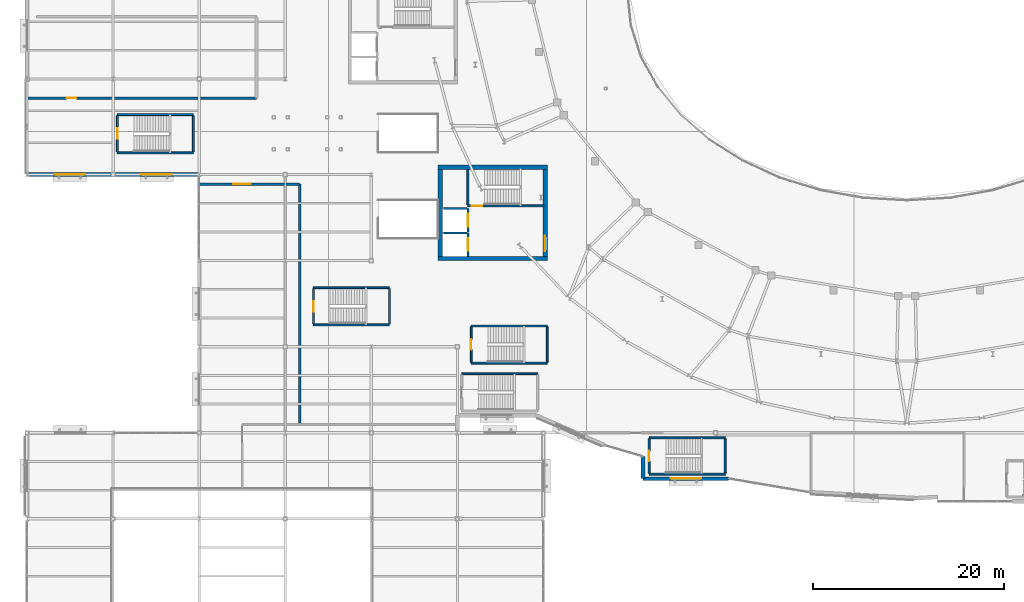
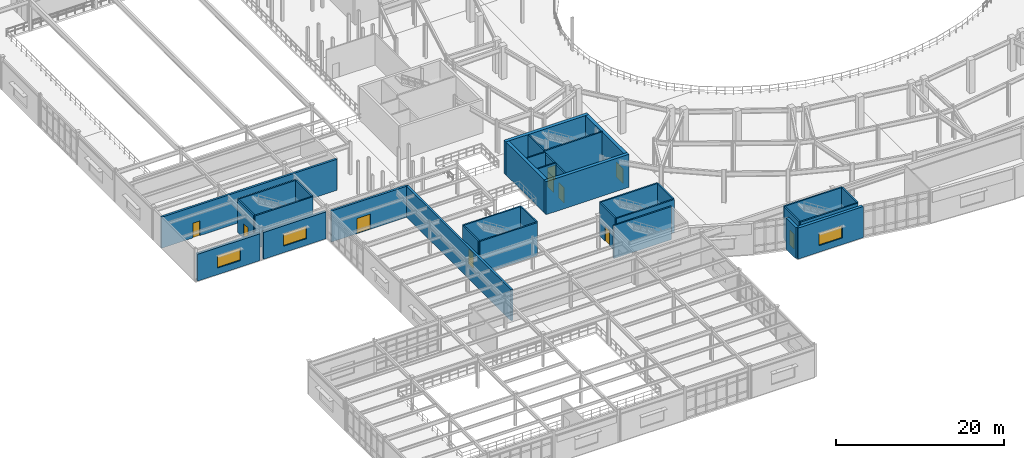
# One storey, part 60 of 86: 34 walls, 10 doors, 3 windows, 13 openings.
"""IFC4 building model written with IfcOpenShell, lengths in metres."""

import ifcopenshell
import ifcopenshell.guid

model = None  # the IFC model being written
_history = None  # IfcOwnerHistory: only IFC2X3 demands one
_inside = {}  # id of a spatial element -> (the spatial element, [elements in it])
_under = {}  # id of a project, library or spatial element -> (it, [spatial elements below it])
_declared = {}  # id of a project -> (the project, [libraries it declares])
_typed = {}  # id of a type object -> (the type object, [elements of that type])
_made_of = {}  # id of a material, layer set ... -> (it, [elements and type objects made of it])


def new_model(schema):
    """Start an empty IFC model of exactly this schema.

    Asked for "IFC4X3", IfcOpenShell would pick the latest addendum, in which some entities
    have other attributes; the version numbers below select the first issue.
    IFC2X3 requires an IfcOwnerHistory on every rooted entity: one is made here for all.
    """
    global model, _history
    if schema == "IFC4X3":
        model = ifcopenshell.file(schema_version=(4, 3, 0, 0))
    else:
        model = ifcopenshell.file(schema=schema)
    _inside.clear()
    _under.clear()
    _declared.clear()
    _typed.clear()
    _made_of.clear()
    _history = None
    if model.schema == "IFC2X3":
        org = make("IfcOrganization", Name="unknown")
        user = make(
            "IfcPersonAndOrganization",
            ThePerson=make("IfcPerson", FamilyName="unknown"),
            TheOrganization=org,
        )
        app = make(
            "IfcApplication",
            ApplicationDeveloper=org,
            Version="unknown",
            ApplicationFullName="unknown",
            ApplicationIdentifier="unknown",
        )
        _history = make(
            "IfcOwnerHistory",
            OwningUser=user,
            OwningApplication=app,
            ChangeAction="ADDED",
            CreationDate=0,
        )
    return model


def make(cls, **values):
    """One entity of the class cls with the attributes given. An attribute that is None is left unset."""
    return model.create_entity(
        cls, **{name: value for name, value in values.items() if value is not None}
    )


def rooted(cls, **values):
    """An entity with a GlobalId (a new one), such as an element, a storey or a relation."""
    return make(cls, GlobalId=ifcopenshell.guid.new(), OwnerHistory=_history, **values)


def si_unit(unit_type, name, prefix=None):
    """IfcSIUnit, for example si_unit("LENGTHUNIT", "METRE", prefix="MILLI")."""
    return make("IfcSIUnit", UnitType=unit_type, Prefix=prefix, Name=name)


def assignment(units):
    """IfcUnitAssignment: the units of a project."""
    return None if units is None else make("IfcUnitAssignment", Units=units)


def point(xyz):
    """IfcCartesianPoint."""
    return None if xyz is None else make("IfcCartesianPoint", Coordinates=xyz)


def direction(xyz):
    """IfcDirection."""
    return None if xyz is None else make("IfcDirection", DirectionRatios=xyz)


def frame(location, z_axis=None, x_axis=None):
    """IfcAxis2Placement3D, a coordinate frame: its origin and axes. An axis left out is left unset."""
    return make(
        "IfcAxis2Placement3D",
        Location=point(location),
        Axis=direction(z_axis),
        RefDirection=direction(x_axis),
    )


def frame_2d(location, x_axis=None):
    """IfcAxis2Placement2D, a coordinate frame in the plane: its origin and x axis."""
    return make(
        "IfcAxis2Placement2D", Location=point(location), RefDirection=direction(x_axis)
    )


def origin():
    """The frame at (0, 0, 0) with its axes left unset."""
    return frame((0.0, 0.0, 0.0))


def place(relative_to, where):
    """IfcLocalPlacement: puts the frame where relative to a parent placement (None: the world)."""
    return make(
        "IfcLocalPlacement", PlacementRelTo=relative_to, RelativePlacement=where
    )


def context(
    kind, dimensions, precision=None, world=None, true_north=None, identifier=None
):
    """IfcGeometricRepresentationContext, for example the 3D "Model" context."""
    return make(
        "IfcGeometricRepresentationContext",
        ContextIdentifier=identifier,
        ContextType=kind,
        CoordinateSpaceDimension=dimensions,
        Precision=precision,
        WorldCoordinateSystem=world,
        TrueNorth=true_north,
    )


def subcontext(parent, identifier, kind, view, scale=None):
    """IfcGeometricRepresentationSubContext, for example "Body" below "Model"."""
    return make(
        "IfcGeometricRepresentationSubContext",
        ContextIdentifier=identifier,
        ContextType=kind,
        ParentContext=parent,
        TargetScale=scale,
        TargetView=view,
    )


def project(units=None, contexts=None):
    """IfcProject with its units and contexts."""
    return rooted(
        "IfcProject",
        Name="project",
        RepresentationContexts=contexts,
        UnitsInContext=assignment(units),
    )


def spatial(cls, under=None, at=None, **own):
    """A site, building, storey or space (cls), placed at a placement, below another one or the project."""
    s = rooted(cls, ObjectPlacement=at, **own)
    if under is not None:
        _under.setdefault(under.id(), (under, []))[1].append(s)
    return s


def profile(cls, at=None, kind="AREA", **sizes):
    """A parametric profile (cls). Its sizes go by their IFC names, for example OverallWidth=200.0."""
    return make(cls, ProfileType=kind, Position=at, **sizes)


def rectangle(**sizes):
    """IfcRectangleProfileDef."""
    return profile("IfcRectangleProfileDef", **sizes)


def extrude(swept, where, along, depth):
    """IfcExtrudedAreaSolid: the profile swept, set in the frame where, extruded along a direction by depth."""
    return make(
        "IfcExtrudedAreaSolid",
        SweptArea=swept,
        Position=where,
        ExtrudedDirection=direction(along),
        Depth=depth,
    )


def shape(context_of_items, identifier, shape_type, items):
    """IfcShapeRepresentation: the items that make up one representation, for example the "Body"."""
    return make(
        "IfcShapeRepresentation",
        ContextOfItems=context_of_items,
        RepresentationIdentifier=identifier,
        RepresentationType=shape_type,
        Items=items,
    )


def material(Name=None, Category=None):
    """IfcMaterial."""
    return make("IfcMaterial", Name=Name, Category=Category)


def layer(
    of_material, thickness, ventilated=None, Name=None, Category=None, Priority=None
):
    """IfcMaterialLayer: one layer of a wall or slab, of a material (None: an air gap)."""
    return make(
        "IfcMaterialLayer",
        Material=of_material,
        LayerThickness=thickness,
        IsVentilated=ventilated,
        Name=Name,
        Category=Category,
        Priority=Priority,
    )


def layer_set(layers, Name=None):
    """IfcMaterialLayerSet."""
    return make("IfcMaterialLayerSet", MaterialLayers=layers, LayerSetName=Name)


def made_of(thing, what):
    """Note that an element or type object is made of a material, layer set ...; save() writes the relation."""
    if what is not None:
        _made_of.setdefault(what.id(), (what, []))[1].append(thing)
    return thing


def type_object(cls, material=None, **own):
    """A type object (cls), such as IfcWallType, which elements share."""
    return made_of(rooted(cls, **own), material)


def element(
    cls,
    number,
    at=None,
    inside=None,
    cuts=None,
    type_object=None,
    material=None,
    context=None,
    identifier="Body",
    shape_type=None,
    held_by="IfcProductDefinitionShape",
    body=None,
    shapes=None,
    **own,
):
    """One element of the class cls, such as IfcWall. Its Tag is "e" and its number.

    at: its placement. inside: the storey or other place that contains it. cuts: it is an
    opening in that element (IfcRelVoidsElement). A single representation is given by context,
    identifier, shape_type and body (its items); several are given by shapes. held_by: the class
    of the entity that holds the representations. save() writes the other relations.
    """
    e = rooted(cls, Tag="e%d" % number, ObjectPlacement=at, **own)
    if body is not None:
        shapes = [shape(context, identifier, shape_type, body)]
    if shapes is not None:
        e.Representation = make(held_by, Representations=shapes)
    if inside is not None:
        _inside.setdefault(inside.id(), (inside, []))[1].append(e)
    if cuts is not None:
        rooted(
            "IfcRelVoidsElement", RelatingBuildingElement=cuts, RelatedOpeningElement=e
        )
    if type_object is not None:
        _typed.setdefault(type_object.id(), (type_object, []))[1].append(e)
    return made_of(e, material)


def fill(opening, filler):
    """IfcRelFillsElement: the door or window that sits in an opening."""
    return rooted(
        "IfcRelFillsElement",
        RelatingOpeningElement=opening,
        RelatedBuildingElement=filler,
    )


def aggregate(whole, parts):
    """IfcRelAggregates: a whole, such as a stair, and the parts it consists of."""
    return rooted("IfcRelAggregates", RelatingObject=whole, RelatedObjects=parts)


def save(model, path):
    """Write the relations noted so far, then the file.

    IfcRelAggregates (storeys below a building ...), IfcRelContainedInSpatialStructure (elements
    in a storey), IfcRelDefinesByType, IfcRelAssociatesMaterial and IfcRelDeclares: one each for
    every whole, place, type object, material and project.
    """
    for whole, parts in _under.values():
        aggregate(whole, parts)
    for where, things in _inside.values():
        rooted(
            "IfcRelContainedInSpatialStructure",
            RelatedElements=things,
            RelatingStructure=where,
        )
    for kind, things in _typed.values():
        rooted("IfcRelDefinesByType", RelatedObjects=things, RelatingType=kind)
    for what, things in _made_of.values():
        rooted("IfcRelAssociatesMaterial", RelatedObjects=things, RelatingMaterial=what)
    for by, libraries in _declared.values():
        rooted("IfcRelDeclares", RelatingContext=by, RelatedDefinitions=libraries)
    model.write(path)


model = new_model("IFC4")

# Units and contexts
model_context = context("Model", 3, precision=1e-05, world=origin(), true_north=direction((0.0, 1.0)))
body_context = subcontext(model_context, "Body", "Model", "MODEL_VIEW")
ifc_project = project(units=[si_unit("LENGTHUNIT", "METRE"), si_unit("AREAUNIT", "SQUARE_METRE"), si_unit("VOLUMEUNIT", "CUBIC_METRE"), si_unit("PLANEANGLEUNIT", "RADIAN"), si_unit("MASSUNIT", "GRAM", prefix="KILO")], contexts=[model_context])

# Site, building, storey
site_placement = place(None, origin())
site = spatial("IfcSite", under=ifc_project, at=site_placement, CompositionType="ELEMENT")
building_placement = place(site_placement, origin())
building = spatial("IfcBuilding", under=site, at=building_placement, Name="Glasvene Arena", CompositionType="ELEMENT")
storey_placement = place(building_placement, frame((0.0, 0.0, 5.39990234375)))
storey = spatial("IfcBuildingStorey", under=building, at=storey_placement, Name="L01", CompositionType="ELEMENT", Elevation=5.39990234375)

# Walls
ifc_material_1 = material(Name="Concrete C40/50", Category="concrete")
ifc_layer_1 = layer(ifc_material_1, 0.449951171875)
ifc_layer_set_1 = layer_set([ifc_layer_1], Name="Concrete C40/50")
wall_type_1 = type_object("IfcWallType", Name="WL-CORE-450", PredefinedType="SHEAR", material=ifc_layer_set_1)
for number, where, z_axis, x_axis, name in (
    (1, (43.0, 45.22509765625, 0.0), (0.0, 0.0, 1.0), (1.0, 0.0, 0.0), "Core C3 South-West shear wall S L01"),
    (2, (43.0, 54.77490234375, 0.0), (0.0, 0.0, 1.0), (1.0, 0.0, 0.0), "Core C3 South-West shear wall N L01"),
):
    element("IfcWall", number, at=place(storey_placement, frame(where, z_axis=z_axis, x_axis=x_axis)), inside=storey, type_object=wall_type_1, Name=name, PredefinedType="SHEAR", context=body_context, shape_type="SweptSolid", body=[
        extrude(rectangle(XDim=11.39990234375, YDim=0.449951171875, at=frame_2d((5.699951171875, 0.0))), origin(), (0.0, 0.0, 1.0), 4.800048828125),
    ])
wall_1_placement = place(storey_placement, frame((43.22509765625, 45.449951171875, 0.0), z_axis=(0.0, 0.0, 1.0), x_axis=(0.0, 1.0, 0.0)))
element("IfcWall", 3, at=wall_1_placement, inside=storey, type_object=wall_type_1, Name="Core C3 South-West shear wall W L01", PredefinedType="SHEAR", context=body_context, shape_type="SweptSolid", body=[
    extrude(rectangle(XDim=9.10009765625, YDim=0.449951171875, at=frame_2d((4.550048828125, 0.0))), origin(), (0.0, 0.0, 1.0), 4.800048828125),
])

# Wall, opening, door
wall_2_placement = place(storey_placement, frame((54.175048828125, 45.449951171875, 0.0), z_axis=(0.0, 0.0, 1.0), x_axis=(0.0, 1.0, 0.0)))
wall_2 = element("IfcWall", 4, at=wall_2_placement, inside=storey, type_object=wall_type_1, Name="Core C3 South-West shear wall E L01", PredefinedType="SHEAR", context=body_context, shape_type="SweptSolid", body=[
    extrude(rectangle(XDim=9.10009765625, YDim=0.449951171875, at=frame_2d((4.550048828125, 0.0))), origin(), (0.0, 0.0, 1.0), 4.800048828125),
])
opening_1_placement = place(wall_2_placement, frame((0.550048828125, 0.0, 0.0)))
opening_1 = element("IfcOpeningElement", 5, at=opening_1_placement, cuts=wall_2, Name="Opening D-02", PredefinedType="OPENING", context=body_context, shape_type="SweptSolid", body=[
    extrude(rectangle(XDim=1.60009765625, YDim=2.199951171875, at=frame_2d((0.800048828125, 1.10009765625))), frame((0.0, 0.23486328125, 0.0), z_axis=(0.0, -1.0, 0.0), x_axis=(1.0, 0.0, 0.0)), (0.0, 0.0, 1.0), 0.469970703125),
])
ifc_material_2 = material(Name="Painted fire-resisting steel", Category="steel")
door_type_1 = type_object("IfcDoorType", Name="DR-FD60-1600", OperationType="DOUBLE_DOOR_SINGLE_SWING", PredefinedType="DOOR", material=ifc_material_2)
door_1_placement = place(opening_1_placement, frame((1.60009765625, 0.0, 0.0), z_axis=(0.0, 0.0, 1.0), x_axis=(-1.0, 0.0, 0.0)))
door_1 = element("IfcDoor", 6, at=door_1_placement, inside=storey, type_object=door_type_1, Name="Core firefighting lobby concourse door C3-L01", OperationType="DOUBLE_DOOR_SINGLE_SWING", OverallHeight=2.199951171875, OverallWidth=1.60009765625, PredefinedType="DOOR", context=body_context, shape_type="SweptSolid", body=[
    extrude(rectangle(XDim=1.60009765625, YDim=2.199951171875, at=frame_2d((0.800048828125, 1.10009765625))), frame((0.0, 0.02490234375, 0.0), z_axis=(0.0, -1.0, 0.0), x_axis=(1.0, 0.0, 0.0)), (0.0, 0.0, 1.0), 0.050048828125),
])
fill(opening_1, door_1)

# Wall, opening, window
ifc_material_3 = material(Name="Coursed pale Irish limestone", Category="masonry")
ifc_layer_2 = layer(ifc_material_3, 0.39990234375)
ifc_layer_set_2 = layer_set([ifc_layer_2], Name="Coursed pale Irish limestone")
wall_type_2 = type_object("IfcWallType", Name="WL-EXT-LIM-400", PredefinedType="STANDARD", material=ifc_layer_set_2)
wall_3_placement = place(storey_placement, frame((73.379638671875, 22.199951171875, 0.0), z_axis=(0.0, 0.0, 1.0), x_axis=(-1.0, 0.0, 0.0)))
wall_3 = element("IfcWall", 7, at=wall_3_placement, inside=storey, type_object=wall_type_2, Name="External facade wall EW-L01-0099", PredefinedType="STANDARD", context=body_context, shape_type="SweptSolid", body=[
    extrude(rectangle(XDim=8.979736328125, YDim=0.39990234375, at=frame_2d((4.48974609375, 0.0))), origin(), (0.0, 0.0, 1.0), 4.52001953125),
])
opening_2_placement = place(wall_3_placement, frame((2.889892578125, 0.0, 0.949951171875)))
opening_2 = element("IfcOpeningElement", 8, at=opening_2_placement, cuts=wall_3, Name="Opening W-03", PredefinedType="OPENING", context=body_context, shape_type="SweptSolid", body=[
    extrude(rectangle(XDim=3.199951171875, YDim=1.800048828125, at=frame_2d((1.60009765625, 0.89990234375))), frame((0.0, 0.2099609375, 0.0), z_axis=(0.0, -1.0, 0.0), x_axis=(1.0, 0.0, 0.0)), (0.0, 0.0, 1.0), 0.419921875),
])
ifc_material_4 = material(Name="Low-emissivity laminated double glazing", Category="glass")
window_type = type_object("IfcWindowType", Name="WN-CONC-320x180", PartitioningType="TRIPLE_PANEL_VERTICAL", PredefinedType="WINDOW", material=ifc_material_4)
window_1_placement = place(opening_2_placement, origin())
window_1 = element("IfcWindow", 9, at=window_1_placement, inside=storey, type_object=window_type, Name="Facade window WN-CONC-320x180 L01-0047", OverallHeight=1.800048828125, OverallWidth=3.199951171875, PartitioningType="SINGLE_PANEL", PredefinedType="WINDOW", context=body_context, shape_type="SweptSolid", body=[
    extrude(rectangle(XDim=3.199951171875, YDim=1.800048828125, at=frame_2d((1.60009765625, 0.89990234375))), frame((0.0, 0.030029296875, 0.0), z_axis=(0.0, -1.0, 0.0), x_axis=(1.0, 0.0, 0.0)), (0.0, 0.0, 1.0), 0.06005859375),
])
fill(opening_2, window_1)

# Wall
wall_4_placement = place(storey_placement, frame((64.39990234375, 22.199951171875, 0.0), z_axis=(0.0, 0.0, 1.0), x_axis=(0.0, 1.0, 0.0)))
element("IfcWall", 10, at=wall_4_placement, inside=storey, type_object=wall_type_2, Name="External facade wall EW-L01-0100", PredefinedType="STANDARD", context=body_context, shape_type="SweptSolid", body=[
    extrude(rectangle(XDim=2.314208984375, YDim=0.39990234375, at=frame_2d((1.1572265625, 0.0))), origin(), (0.0, 0.0, 1.0), 4.52001953125),
])

# Wall, opening, window
wall_5_placement = place(storey_placement, frame((17.843505859375, 54.0, 0.0), z_axis=(0.0, 0.0, 1.0), x_axis=(-1.0, 0.0, 0.0)))
wall_5 = element("IfcWall", 11, at=wall_5_placement, inside=storey, type_object=wall_type_2, Name="External facade wall EW-L01-0115", PredefinedType="STANDARD", context=body_context, shape_type="SweptSolid", body=[
    extrude(rectangle(XDim=8.613037109375, YDim=0.39990234375, at=frame_2d((4.306640625, 0.0))), origin(), (0.0, 0.0, 1.0), 3.907470703125),
])
opening_3_placement = place(wall_5_placement, frame((2.7060546875, 0.0, 0.949951171875)))
opening_3 = element("IfcOpeningElement", 12, at=opening_3_placement, cuts=wall_5, Name="Opening W-03", PredefinedType="OPENING", context=body_context, shape_type="SweptSolid", body=[
    extrude(rectangle(XDim=3.199951171875, YDim=1.800048828125, at=frame_2d((1.60009765625, 0.89990234375))), frame((0.0, 0.2099609375, 0.0), z_axis=(0.0, -1.0, 0.0), x_axis=(1.0, 0.0, 0.0)), (0.0, 0.0, 1.0), 0.419921875),
])
window_2_placement = place(opening_3_placement, origin())
window_2 = element("IfcWindow", 13, at=window_2_placement, inside=storey, type_object=window_type, Name="Facade window WN-CONC-320x180 L01-0061", OverallHeight=1.800048828125, OverallWidth=3.199951171875, PartitioningType="SINGLE_PANEL", PredefinedType="WINDOW", context=body_context, shape_type="SweptSolid", body=[
    extrude(rectangle(XDim=3.199951171875, YDim=1.800048828125, at=frame_2d((1.60009765625, 0.89990234375))), frame((0.0, 0.030029296875, 0.0), z_axis=(0.0, -1.0, 0.0), x_axis=(1.0, 0.0, 0.0)), (0.0, 0.0, 1.0), 0.06005859375),
])
fill(opening_3, window_2)

wall_6_placement = place(storey_placement, frame((8.76953125, 54.0, 0.0), z_axis=(0.0, 0.0, 1.0), x_axis=(-1.0, 0.0, 0.0)))
wall_6 = element("IfcWall", 14, at=wall_6_placement, inside=storey, type_object=wall_type_2, Name="External facade wall EW-L01-0116", PredefinedType="STANDARD", context=body_context, shape_type="SweptSolid", body=[
    extrude(rectangle(XDim=8.613037109375, YDim=0.39990234375, at=frame_2d((4.306640625, 0.0))), origin(), (0.0, 0.0, 1.0), 3.907470703125),
])
opening_4_placement = place(wall_6_placement, frame((2.7060546875, 0.0, 0.949951171875)))
opening_4 = element("IfcOpeningElement", 15, at=opening_4_placement, cuts=wall_6, Name="Opening W-03", PredefinedType="OPENING", context=body_context, shape_type="SweptSolid", body=[
    extrude(rectangle(XDim=3.199951171875, YDim=1.800048828125, at=frame_2d((1.60009765625, 0.89990234375))), frame((0.0, 0.2099609375, 0.0), z_axis=(0.0, -1.0, 0.0), x_axis=(1.0, 0.0, 0.0)), (0.0, 0.0, 1.0), 0.419921875),
])
window_3_placement = place(opening_4_placement, origin())
window_3 = element("IfcWindow", 16, at=window_3_placement, inside=storey, type_object=window_type, Name="Facade window WN-CONC-320x180 L01-0062", OverallHeight=1.800048828125, OverallWidth=3.199951171875, PartitioningType="SINGLE_PANEL", PredefinedType="WINDOW", context=body_context, shape_type="SweptSolid", body=[
    extrude(rectangle(XDim=3.199951171875, YDim=1.800048828125, at=frame_2d((1.60009765625, 0.89990234375))), frame((0.0, 0.030029296875, 0.0), z_axis=(0.0, -1.0, 0.0), x_axis=(1.0, 0.0, 0.0)), (0.0, 0.0, 1.0), 0.06005859375),
])
fill(opening_4, window_3)

# Wall, opening, door
ifc_layer_3 = layer(ifc_material_1, 0.199951171875)
ifc_layer_set_3 = layer_set([ifc_layer_3], Name="Concrete C40/50")
wall_type_3 = type_object("IfcWallType", Name="WL-SHAFT-200", PredefinedType="SHEAR", material=ifc_layer_set_3)
wall_7_placement = place(storey_placement, frame((46.10009765625, 45.449951171875, 0.0), z_axis=(0.0, 0.0, 1.0), x_axis=(0.0, 1.0, 0.0)))
wall_7 = element("IfcWall", 17, at=wall_7_placement, inside=storey, type_object=wall_type_3, Name="Lift shaft front wall FFL-03 L01", PredefinedType="SHEAR", context=body_context, shape_type="SweptSolid", body=[
    extrude(rectangle(XDim=2.449951171875, YDim=0.199951171875, at=frame_2d((1.22509765625, 0.0))), origin(), (0.0, 0.0, 1.0), 4.52001953125),
])
opening_5_placement = place(wall_7_placement, frame((0.574951171875, 0.0, 0.0)))
opening_5 = element("IfcOpeningElement", 18, at=opening_5_placement, cuts=wall_7, Name="Opening LD-FF", PredefinedType="OPENING", context=body_context, shape_type="SweptSolid", body=[
    extrude(rectangle(XDim=1.300048828125, YDim=2.199951171875, at=frame_2d((0.64990234375, 1.10009765625))), frame((0.0, 0.10986328125, 0.0), z_axis=(0.0, -1.0, 0.0), x_axis=(1.0, 0.0, 0.0)), (0.0, 0.0, 1.0), 0.219970703125),
])
ifc_material_5 = material(Name="Brushed stainless steel", Category="steel")
door_type_2 = type_object("IfcDoorType", Name="LD-FFL-1300", OperationType="DOUBLE_DOOR_SLIDING", PredefinedType="DOOR", material=ifc_material_5)
door_2_placement = place(opening_5_placement, origin())
door_2 = element("IfcDoor", 19, at=door_2_placement, inside=storey, type_object=door_type_2, Name="Lift sliding landing door LD-FFL-03-L01", OperationType="DOUBLE_DOOR_SLIDING", OverallHeight=2.199951171875, OverallWidth=1.300048828125, PredefinedType="DOOR", context=body_context, shape_type="SweptSolid", body=[
    extrude(rectangle(XDim=1.300048828125, YDim=2.199951171875, at=frame_2d((0.64990234375, 1.10009765625))), frame((0.0, 0.02490234375, 0.0), z_axis=(0.0, -1.0, 0.0), x_axis=(1.0, 0.0, 0.0)), (0.0, 0.0, 1.0), 0.050048828125),
])
fill(opening_5, door_2)

wall_8_placement = place(storey_placement, frame((46.10009765625, 48.0, 0.0), z_axis=(0.0, 0.0, 1.0), x_axis=(0.0, 1.0, 0.0)))
wall_8 = element("IfcWall", 20, at=wall_8_placement, inside=storey, type_object=wall_type_3, Name="Lift shaft front wall PL-03 L01", PredefinedType="SHEAR", context=body_context, shape_type="SweptSolid", body=[
    extrude(rectangle(XDim=2.449951171875, YDim=0.199951171875, at=frame_2d((1.22509765625, 0.0))), origin(), (0.0, 0.0, 1.0), 4.52001953125),
])
opening_6_placement = place(wall_8_placement, frame((0.52490234375, 0.0, 0.0)))
opening_6 = element("IfcOpeningElement", 21, at=opening_6_placement, cuts=wall_8, Name="Opening LD-PL", PredefinedType="OPENING", context=body_context, shape_type="SweptSolid", body=[
    extrude(rectangle(XDim=1.39990234375, YDim=2.199951171875, at=frame_2d((0.699951171875, 1.10009765625))), frame((0.0, 0.10986328125, 0.0), z_axis=(0.0, -1.0, 0.0), x_axis=(1.0, 0.0, 0.0)), (0.0, 0.0, 1.0), 0.219970703125),
])
door_type_3 = type_object("IfcDoorType", Name="LD-PL-1400", OperationType="DOUBLE_DOOR_SLIDING", PredefinedType="DOOR", material=ifc_material_5)
door_3_placement = place(opening_6_placement, origin())
door_3 = element("IfcDoor", 22, at=door_3_placement, inside=storey, type_object=door_type_3, Name="Lift sliding landing door LD-PL-03-L01", OperationType="DOUBLE_DOOR_SLIDING", OverallHeight=2.199951171875, OverallWidth=1.39990234375, PredefinedType="DOOR", context=body_context, shape_type="SweptSolid", body=[
    extrude(rectangle(XDim=1.39990234375, YDim=2.199951171875, at=frame_2d((0.699951171875, 1.10009765625))), frame((0.0, 0.02490234375, 0.0), z_axis=(0.0, -1.0, 0.0), x_axis=(1.0, 0.0, 0.0)), (0.0, 0.0, 1.0), 0.050048828125),
])
fill(opening_6, door_3)

wall_9_placement = place(storey_placement, frame((46.10009765625, 50.72998046875, 0.0), z_axis=(0.0, 0.0, 1.0), x_axis=(1.0, 0.0, 0.0)))
wall_9 = element("IfcWall", 23, at=wall_9_placement, inside=storey, type_object=wall_type_3, Name="Escape stair shaft wall ST-03 L01 S", PredefinedType="SHEAR", context=body_context, shape_type="SweptSolid", body=[
    extrude(rectangle(XDim=7.949951171875, YDim=0.199951171875, at=frame_2d((3.97509765625, 0.0))), origin(), (0.0, 0.0, 1.0), 4.800048828125),
])
opening_7_placement = place(wall_9_placement, frame((0.39990234375, 0.0, 0.0)))
opening_7 = element("IfcOpeningElement", 24, at=opening_7_placement, cuts=wall_9, Name="Opening D-04", PredefinedType="OPENING", context=body_context, shape_type="SweptSolid", body=[
    extrude(rectangle(XDim=1.10009765625, YDim=2.14990234375, at=frame_2d((0.550048828125, 1.074951171875))), frame((0.0, 0.10986328125, 0.0), z_axis=(0.0, -1.0, 0.0), x_axis=(1.0, 0.0, 0.0)), (0.0, 0.0, 1.0), 0.219970703125),
])
door_type_4 = type_object("IfcDoorType", Name="DR-FD60-1100", OperationType="NOTDEFINED", PredefinedType="DOOR", material=ifc_material_2)
door_4_placement = place(opening_7_placement, frame((1.10009765625, 0.0, 0.0), z_axis=(0.0, 0.0, 1.0), x_axis=(-1.0, 0.0, 0.0)))
door_4 = element("IfcDoor", 25, at=door_4_placement, inside=storey, type_object=door_type_4, Name="Protected escape stair door ST-03 L01", OperationType="SINGLE_SWING_RIGHT", OverallHeight=2.14990234375, OverallWidth=1.10009765625, PredefinedType="DOOR", context=body_context, shape_type="SweptSolid", body=[
    extrude(rectangle(XDim=1.10009765625, YDim=2.14990234375, at=frame_2d((0.550048828125, 1.074951171875))), frame((0.0, 0.02490234375, 0.0), z_axis=(0.0, -1.0, 0.0), x_axis=(1.0, 0.0, 0.0)), (0.0, 0.0, 1.0), 0.050048828125),
])
fill(opening_7, door_4)

# Walls
wall_10_placement = place(storey_placement, frame((46.10009765625, 50.83203125, 0.0), z_axis=(0.0, 0.0, 1.0), x_axis=(0.0, 1.0, 0.0)))
element("IfcWall", 26, at=wall_10_placement, inside=storey, type_object=wall_type_3, Name="Escape stair shaft wall ST-03 L01 W", PredefinedType="SHEAR", context=body_context, shape_type="SweptSolid", body=[
    extrude(rectangle(XDim=3.68603515625, YDim=0.199951171875, at=frame_2d((1.843017578125, 0.0))), origin(), (0.0, 0.0, 1.0), 4.800048828125),
])
wall_11_placement = place(storey_placement, frame((46.449951171875, 34.280029296875, 0.0), z_axis=(0.0, 0.0, 1.0), x_axis=(1.0, 0.0, 0.0)))
element("IfcWall", 27, at=wall_11_placement, inside=storey, type_object=wall_type_3, Name="Escape stair shaft wall ST-05 L01 S", PredefinedType="SHEAR", context=body_context, shape_type="SweptSolid", body=[
    extrude(rectangle(XDim=7.949951171875, YDim=0.199951171875, at=frame_2d((3.97509765625, 0.0))), origin(), (0.0, 0.0, 1.0), 4.800048828125),
])

# Wall, opening, door
wall_12_placement = place(storey_placement, frame((46.449951171875, 34.382080078125, 0.0), z_axis=(0.0, 0.0, 1.0), x_axis=(0.0, 1.0, 0.0)))
wall_12 = element("IfcWall", 28, at=wall_12_placement, inside=storey, type_object=wall_type_3, Name="Escape stair shaft wall ST-05 L01 W", PredefinedType="SHEAR", context=body_context, shape_type="SweptSolid", body=[
    extrude(rectangle(XDim=3.68603515625, YDim=0.199951171875, at=frame_2d((1.843017578125, 0.0))), origin(), (0.0, 0.0, 1.0), 4.800048828125),
])
opening_8_placement = place(wall_12_placement, frame((1.29296875, 0.0, 0.0)))
opening_8 = element("IfcOpeningElement", 29, at=opening_8_placement, cuts=wall_12, Name="Opening D-04", PredefinedType="OPENING", context=body_context, shape_type="SweptSolid", body=[
    extrude(rectangle(XDim=1.10009765625, YDim=2.14990234375, at=frame_2d((0.550048828125, 1.074951171875))), frame((0.0, 0.10986328125, 0.0), z_axis=(0.0, -1.0, 0.0), x_axis=(1.0, 0.0, 0.0)), (0.0, 0.0, 1.0), 0.219970703125),
])
door_5_placement = place(opening_8_placement, frame((1.10009765625, 0.0, 0.0), z_axis=(0.0, 0.0, 1.0), x_axis=(-1.0, 0.0, 0.0)))
door_5 = element("IfcDoor", 30, at=door_5_placement, inside=storey, type_object=door_type_4, Name="Protected escape stair door ST-05 L01", OperationType="SINGLE_SWING_RIGHT", OverallHeight=2.14990234375, OverallWidth=1.10009765625, PredefinedType="DOOR", context=body_context, shape_type="SweptSolid", body=[
    extrude(rectangle(XDim=1.10009765625, YDim=2.14990234375, at=frame_2d((0.550048828125, 1.074951171875))), frame((0.0, 0.02490234375, 0.0), z_axis=(0.0, -1.0, 0.0), x_axis=(1.0, 0.0, 0.0)), (0.0, 0.0, 1.0), 0.050048828125),
])
fill(opening_8, door_5)

# Walls
wall_13_placement = place(storey_placement, frame((54.39990234375, 34.382080078125, 0.0), z_axis=(0.0, 0.0, 1.0), x_axis=(0.0, 1.0, 0.0)))
element("IfcWall", 31, at=wall_13_placement, inside=storey, type_object=wall_type_3, Name="Escape stair shaft wall ST-05 L01 E", PredefinedType="SHEAR", context=body_context, shape_type="SweptSolid", body=[
    extrude(rectangle(XDim=3.68603515625, YDim=0.199951171875, at=frame_2d((1.843017578125, 0.0))), origin(), (0.0, 0.0, 1.0), 4.800048828125),
])
for number, where, z_axis, x_axis, name in (
    (32, (46.449951171875, 38.169921875, 0.0), (0.0, 0.0, 1.0), (1.0, 0.0, 0.0), "Escape stair shaft wall ST-05 L01 N"),
    (33, (65.050048828125, 22.679931640625, 0.0), (0.0, 0.0, 1.0), (1.0, 0.0, 0.0), "Escape stair shaft wall ST-08 L01 S"),
):
    element("IfcWall", number, at=place(storey_placement, frame(where, z_axis=z_axis, x_axis=x_axis)), inside=storey, type_object=wall_type_3, Name=name, PredefinedType="SHEAR", context=body_context, shape_type="SweptSolid", body=[
        extrude(rectangle(XDim=7.949951171875, YDim=0.199951171875, at=frame_2d((3.97509765625, 0.0))), origin(), (0.0, 0.0, 1.0), 4.800048828125),
    ])

# Wall, opening, door
wall_14_placement = place(storey_placement, frame((65.050048828125, 22.781982421875, 0.0), z_axis=(0.0, 0.0, 1.0), x_axis=(0.0, 1.0, 0.0)))
wall_14 = element("IfcWall", 34, at=wall_14_placement, inside=storey, type_object=wall_type_3, Name="Escape stair shaft wall ST-08 L01 W", PredefinedType="SHEAR", context=body_context, shape_type="SweptSolid", body=[
    extrude(rectangle(XDim=3.5859375, YDim=0.199951171875, at=frame_2d((1.79296875, 0.0))), origin(), (0.0, 0.0, 1.0), 4.800048828125),
])
opening_9_placement = place(wall_14_placement, frame((1.242919921875, 0.0, 0.0)))
opening_9 = element("IfcOpeningElement", 35, at=opening_9_placement, cuts=wall_14, Name="Opening D-04", PredefinedType="OPENING", context=body_context, shape_type="SweptSolid", body=[
    extrude(rectangle(XDim=1.10009765625, YDim=2.14990234375, at=frame_2d((0.550048828125, 1.074951171875))), frame((0.0, 0.10986328125, 0.0), z_axis=(0.0, -1.0, 0.0), x_axis=(1.0, 0.0, 0.0)), (0.0, 0.0, 1.0), 0.219970703125),
])
door_6_placement = place(opening_9_placement, frame((1.10009765625, 0.0, 0.0), z_axis=(0.0, 0.0, 1.0), x_axis=(-1.0, 0.0, 0.0)))
door_6 = element("IfcDoor", 36, at=door_6_placement, inside=storey, type_object=door_type_4, Name="Protected escape stair door ST-08 L01", OperationType="SINGLE_SWING_RIGHT", OverallHeight=2.14990234375, OverallWidth=1.10009765625, PredefinedType="DOOR", context=body_context, shape_type="SweptSolid", body=[
    extrude(rectangle(XDim=1.10009765625, YDim=2.14990234375, at=frame_2d((0.550048828125, 1.074951171875))), frame((0.0, 0.02490234375, 0.0), z_axis=(0.0, -1.0, 0.0), x_axis=(1.0, 0.0, 0.0)), (0.0, 0.0, 1.0), 0.050048828125),
])
fill(opening_9, door_6)

# Walls
wall_15_placement = place(storey_placement, frame((73.0, 22.781982421875, 0.0), z_axis=(0.0, 0.0, 1.0), x_axis=(0.0, 1.0, 0.0)))
element("IfcWall", 37, at=wall_15_placement, inside=storey, type_object=wall_type_3, Name="Escape stair shaft wall ST-08 L01 E", PredefinedType="SHEAR", context=body_context, shape_type="SweptSolid", body=[
    extrude(rectangle(XDim=3.5859375, YDim=0.199951171875, at=frame_2d((1.79296875, 0.0))), origin(), (0.0, 0.0, 1.0), 4.800048828125),
])
for number, where, z_axis, x_axis, name in (
    (38, (65.050048828125, 26.469970703125, 0.0), (0.0, 0.0, 1.0), (1.0, 0.0, 0.0), "Escape stair shaft wall ST-08 L01 N"),
    (39, (9.449951171875, 56.280029296875, 0.0), (0.0, 0.0, 1.0), (1.0, 0.0, 0.0), "Escape stair shaft wall ST-13 L01 S"),
):
    element("IfcWall", number, at=place(storey_placement, frame(where, z_axis=z_axis, x_axis=x_axis)), inside=storey, type_object=wall_type_3, Name=name, PredefinedType="SHEAR", context=body_context, shape_type="SweptSolid", body=[
        extrude(rectangle(XDim=7.949951171875, YDim=0.199951171875, at=frame_2d((3.97509765625, 0.0))), origin(), (0.0, 0.0, 1.0), 4.800048828125),
    ])

# Wall, opening, door
wall_16_placement = place(storey_placement, frame((9.449951171875, 56.382080078125, 0.0), z_axis=(0.0, 0.0, 1.0), x_axis=(0.0, 1.0, 0.0)))
wall_16 = element("IfcWall", 40, at=wall_16_placement, inside=storey, type_object=wall_type_3, Name="Escape stair shaft wall ST-13 L01 W", PredefinedType="SHEAR", context=body_context, shape_type="SweptSolid", body=[
    extrude(rectangle(XDim=3.785888671875, YDim=0.199951171875, at=frame_2d((1.89306640625, 0.0))), origin(), (0.0, 0.0, 1.0), 4.800048828125),
])
opening_10_placement = place(wall_16_placement, frame((1.343017578125, 0.0, 0.0)))
opening_10 = element("IfcOpeningElement", 41, at=opening_10_placement, cuts=wall_16, Name="Opening D-04", PredefinedType="OPENING", context=body_context, shape_type="SweptSolid", body=[
    extrude(rectangle(XDim=1.10009765625, YDim=2.14990234375, at=frame_2d((0.550048828125, 1.074951171875))), frame((0.0, 0.10986328125, 0.0), z_axis=(0.0, -1.0, 0.0), x_axis=(1.0, 0.0, 0.0)), (0.0, 0.0, 1.0), 0.219970703125),
])
door_7_placement = place(opening_10_placement, frame((1.10009765625, 0.0, 0.0), z_axis=(0.0, 0.0, 1.0), x_axis=(-1.0, 0.0, 0.0)))
door_7 = element("IfcDoor", 42, at=door_7_placement, inside=storey, type_object=door_type_4, Name="Protected escape stair door ST-13 L01", OperationType="SINGLE_SWING_RIGHT", OverallHeight=2.14990234375, OverallWidth=1.10009765625, PredefinedType="DOOR", context=body_context, shape_type="SweptSolid", body=[
    extrude(rectangle(XDim=1.10009765625, YDim=2.14990234375, at=frame_2d((0.550048828125, 1.074951171875))), frame((0.0, 0.02490234375, 0.0), z_axis=(0.0, -1.0, 0.0), x_axis=(1.0, 0.0, 0.0)), (0.0, 0.0, 1.0), 0.050048828125),
])
fill(opening_10, door_7)

# Walls
wall_17_placement = place(storey_placement, frame((17.39990234375, 56.382080078125, 0.0), z_axis=(0.0, 0.0, 1.0), x_axis=(0.0, 1.0, 0.0)))
element("IfcWall", 43, at=wall_17_placement, inside=storey, type_object=wall_type_3, Name="Escape stair shaft wall ST-13 L01 E", PredefinedType="SHEAR", context=body_context, shape_type="SweptSolid", body=[
    extrude(rectangle(XDim=3.785888671875, YDim=0.199951171875, at=frame_2d((1.89306640625, 0.0))), origin(), (0.0, 0.0, 1.0), 4.800048828125),
])
for number, where, z_axis, x_axis, name in (
    (44, (9.449951171875, 60.27001953125, 0.0), (0.0, 0.0, 1.0), (1.0, 0.0, 0.0), "Escape stair shaft wall ST-13 L01 N"),
    (45, (29.949951171875, 38.280029296875, 0.0), (0.0, 0.0, 1.0), (1.0, 0.0, 0.0), "Escape stair shaft wall ST-15 L01 S"),
):
    element("IfcWall", number, at=place(storey_placement, frame(where, z_axis=z_axis, x_axis=x_axis)), inside=storey, type_object=wall_type_3, Name=name, PredefinedType="SHEAR", context=body_context, shape_type="SweptSolid", body=[
        extrude(rectangle(XDim=7.949951171875, YDim=0.199951171875, at=frame_2d((3.97509765625, 0.0))), origin(), (0.0, 0.0, 1.0), 4.800048828125),
    ])

# Wall, opening, door
wall_18_placement = place(storey_placement, frame((29.949951171875, 38.382080078125, 0.0), z_axis=(0.0, 0.0, 1.0), x_axis=(0.0, 1.0, 0.0)))
wall_18 = element("IfcWall", 46, at=wall_18_placement, inside=storey, type_object=wall_type_3, Name="Escape stair shaft wall ST-15 L01 W", PredefinedType="SHEAR", context=body_context, shape_type="SweptSolid", body=[
    extrude(rectangle(XDim=3.68603515625, YDim=0.199951171875, at=frame_2d((1.843017578125, 0.0))), origin(), (0.0, 0.0, 1.0), 4.800048828125),
])
opening_11_placement = place(wall_18_placement, frame((1.29296875, 0.0, 0.0)))
opening_11 = element("IfcOpeningElement", 47, at=opening_11_placement, cuts=wall_18, Name="Opening D-04", PredefinedType="OPENING", context=body_context, shape_type="SweptSolid", body=[
    extrude(rectangle(XDim=1.10009765625, YDim=2.14990234375, at=frame_2d((0.550048828125, 1.074951171875))), frame((0.0, 0.10986328125, 0.0), z_axis=(0.0, -1.0, 0.0), x_axis=(1.0, 0.0, 0.0)), (0.0, 0.0, 1.0), 0.219970703125),
])
door_8_placement = place(opening_11_placement, frame((1.10009765625, 0.0, 0.0), z_axis=(0.0, 0.0, 1.0), x_axis=(-1.0, 0.0, 0.0)))
door_8 = element("IfcDoor", 48, at=door_8_placement, inside=storey, type_object=door_type_4, Name="Protected escape stair door ST-15 L01", OperationType="SINGLE_SWING_RIGHT", OverallHeight=2.14990234375, OverallWidth=1.10009765625, PredefinedType="DOOR", context=body_context, shape_type="SweptSolid", body=[
    extrude(rectangle(XDim=1.10009765625, YDim=2.14990234375, at=frame_2d((0.550048828125, 1.074951171875))), frame((0.0, 0.02490234375, 0.0), z_axis=(0.0, -1.0, 0.0), x_axis=(1.0, 0.0, 0.0)), (0.0, 0.0, 1.0), 0.050048828125),
])
fill(opening_11, door_8)

# Walls
wall_19_placement = place(storey_placement, frame((37.89990234375, 38.382080078125, 0.0), z_axis=(0.0, 0.0, 1.0), x_axis=(0.0, 1.0, 0.0)))
element("IfcWall", 49, at=wall_19_placement, inside=storey, type_object=wall_type_3, Name="Escape stair shaft wall ST-15 L01 E", PredefinedType="SHEAR", context=body_context, shape_type="SweptSolid", body=[
    extrude(rectangle(XDim=3.68603515625, YDim=0.199951171875, at=frame_2d((1.843017578125, 0.0))), origin(), (0.0, 0.0, 1.0), 4.800048828125),
])
for number, where, z_axis, x_axis, name in (
    (50, (29.949951171875, 42.169921875, 0.0), (0.0, 0.0, 1.0), (1.0, 0.0, 0.0), "Escape stair shaft wall ST-15 L01 N"),
    (51, (45.449951171875, 33.169921875, 0.0), (0.0, 0.0, 1.0), (1.0, 0.0, 0.0), "Escape stair shaft wall ST-16 L01 N"),
):
    element("IfcWall", number, at=place(storey_placement, frame(where, z_axis=z_axis, x_axis=x_axis)), inside=storey, type_object=wall_type_3, Name=name, PredefinedType="SHEAR", context=body_context, shape_type="SweptSolid", body=[
        extrude(rectangle(XDim=7.949951171875, YDim=0.199951171875, at=frame_2d((3.97509765625, 0.0))), origin(), (0.0, 0.0, 1.0), 4.800048828125),
    ])

# Wall, opening, door
ifc_material_6 = material(Name="Twin-frame acoustic gypsum partition")
ifc_layer_4 = layer(ifc_material_6, 0.280029296875)
ifc_layer_set_4 = layer_set([ifc_layer_4], Name="Twin-frame acoustic gypsum partition")
wall_type_4 = type_object("IfcWallType", Name="WL-STUDIO-280", PredefinedType="PARTITIONING", material=ifc_layer_set_4)
wall_20_placement = place(storey_placement, frame((18.02001953125, 53.0, 0.0), z_axis=(0.0, 0.0, 1.0), x_axis=(1.0, 0.0, 0.0)))
wall_20 = element("IfcWall", 52, at=wall_20_placement, inside=storey, type_object=wall_type_4, Name="Interior partition wall IW-L01-0175 (Community Dance Studio)", PredefinedType="PARTITIONING", context=body_context, shape_type="SweptSolid", body=[
    extrude(rectangle(XDim=10.47998046875, YDim=0.280029296875, at=frame_2d((5.239990234375, 0.0))), origin(), (0.0, 0.0, 1.0), 4.52001953125),
])
opening_12_placement = place(wall_20_placement, frame((3.548095703125, 0.0, 0.0)))
opening_12 = element("IfcOpeningElement", 53, at=opening_12_placement, cuts=wall_20, Name="Opening D-01", PredefinedType="OPENING", context=body_context, shape_type="SweptSolid", body=[
    extrude(rectangle(XDim=1.800048828125, YDim=2.199951171875, at=frame_2d((0.89990234375, 1.10009765625))), frame((0.0, 0.14990234375, 0.0), z_axis=(0.0, -1.0, 0.0), x_axis=(1.0, 0.0, 0.0)), (0.0, 0.0, 1.0), 0.300048828125),
])
door_type_5 = type_object("IfcDoorType", Name="DR-FD60-1800", OperationType="DOUBLE_DOOR_SINGLE_SWING", PredefinedType="DOOR", material=ifc_material_2)
door_9_placement = place(opening_12_placement, origin())
door_9 = element("IfcDoor", 54, at=door_9_placement, inside=storey, type_object=door_type_5, Name="Interior door DR-FD60-1800 (Community Dance Studio)", OperationType="DOUBLE_DOOR_SINGLE_SWING", OverallHeight=2.199951171875, OverallWidth=1.800048828125, PredefinedType="DOOR", context=body_context, shape_type="SweptSolid", body=[
    extrude(rectangle(XDim=1.800048828125, YDim=2.199951171875, at=frame_2d((0.89990234375, 1.10009765625))), frame((0.0, 0.02490234375, 0.0), z_axis=(0.0, -1.0, 0.0), x_axis=(1.0, 0.0, 0.0)), (0.0, 0.0, 1.0), 0.050048828125),
])
fill(opening_12, door_9)

# Wall
wall_21_placement = place(storey_placement, frame((28.5, 53.0, 0.0), z_axis=(0.0, 0.0, 1.0), x_axis=(0.0, -1.0, 0.0)))
element("IfcWall", 55, at=wall_21_placement, inside=storey, type_object=wall_type_4, Name="Interior partition wall IW-L01-0176 (Community Dance Studio)", PredefinedType="PARTITIONING", context=body_context, shape_type="SweptSolid", body=[
    extrude(rectangle(XDim=25.0, YDim=0.280029296875, at=frame_2d((12.5, 0.0))), origin(), (0.0, 0.0, 1.0), 4.52001953125),
])

# Wall, opening, door
wall_22_placement = place(storey_placement, frame((24.0, 62.0, 0.0), z_axis=(0.0, 0.0, 1.0), x_axis=(-1.0, 0.0, 0.0)))
wall_22 = element("IfcWall", 56, at=wall_22_placement, inside=storey, type_object=wall_type_4, Name="Interior partition wall IW-L01-0179 (Community Martial Arts Studio)", PredefinedType="PARTITIONING", context=body_context, shape_type="SweptSolid", body=[
    extrude(rectangle(XDim=24.125, YDim=0.280029296875, at=frame_2d((12.0625, 0.0))), origin(), (0.0, 0.0, 1.0), 4.52001953125),
])
opening_13_placement = place(wall_22_placement, frame((18.85302734375, 0.0, 0.0)))
opening_13 = element("IfcOpeningElement", 57, at=opening_13_placement, cuts=wall_22, Name="Opening D-06", PredefinedType="OPENING", context=body_context, shape_type="SweptSolid", body=[
    extrude(rectangle(XDim=1.0, YDim=2.14990234375, at=frame_2d((0.5, 1.074951171875))), frame((0.0, 0.14990234375, 0.0), z_axis=(0.0, -1.0, 0.0), x_axis=(1.0, 0.0, 0.0)), (0.0, 0.0, 1.0), 0.300048828125),
])
ifc_material_7 = material(Name="European oak fire-resisting timber", Category="wood")
door_type_6 = type_object("IfcDoorType", Name="DR-FD30-1000", OperationType="NOTDEFINED", PredefinedType="DOOR", material=ifc_material_7)
door_10_placement = place(opening_13_placement, origin())
door_10 = element("IfcDoor", 58, at=door_10_placement, inside=storey, type_object=door_type_6, Name="Interior door DR-FD30-1000 (Community Martial Arts Studio)", OperationType="SINGLE_SWING_LEFT", OverallHeight=2.14990234375, OverallWidth=1.0, PredefinedType="DOOR", context=body_context, shape_type="SweptSolid", body=[
    extrude(rectangle(XDim=1.0, YDim=2.14990234375, at=frame_2d((0.5, 1.074951171875))), frame((0.0, 0.02490234375, 0.0), z_axis=(0.0, -1.0, 0.0), x_axis=(1.0, 0.0, 0.0)), (0.0, 0.0, 1.0), 0.050048828125),
])
fill(opening_13, door_10)

# Walls
ifc_material_8 = material(Name="Moisture-resistant masonry blockwork", Category="masonry")
ifc_layer_5 = layer(ifc_material_8, 0.179931640625)
ifc_layer_set_5 = layer_set([ifc_layer_5], Name="Moisture-resistant masonry blockwork")
wall_type_5 = type_object("IfcWallType", Name="WL-WET-180", PredefinedType="PARTITIONING", material=ifc_layer_set_5)
for number, where, z_axis, x_axis, name in (
    (59, (43.550048828125, 47.89990234375, 0.0), (0.0, 0.0, 1.0), (1.0, 0.0, 0.0), "Lift shaft divider wall C3 L01"),
    (60, (43.550048828125, 50.449951171875, 0.0), (0.0, 0.0, 1.0), (1.0, 0.0, 0.0), "Lift shaft north enclosure wall C3 L01"),
):
    element("IfcWall", number, at=place(storey_placement, frame(where, z_axis=z_axis, x_axis=x_axis)), inside=storey, type_object=wall_type_5, Name=name, PredefinedType="PARTITIONING", context=body_context, shape_type="SweptSolid", body=[
        extrude(rectangle(XDim=2.449951171875, YDim=0.179931640625, at=frame_2d((1.22509765625, 0.0))), origin(), (0.0, 0.0, 1.0), 4.800048828125),
    ])

save(model, "model.ifc")
